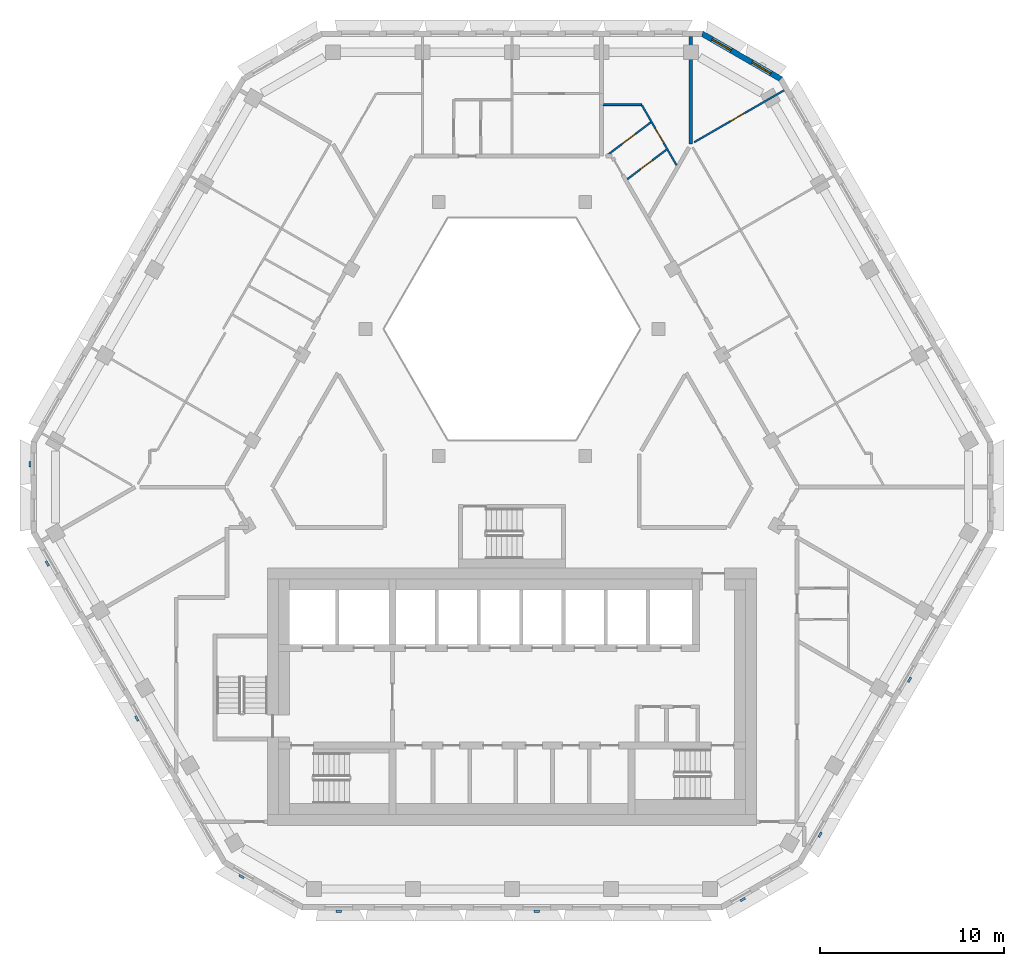
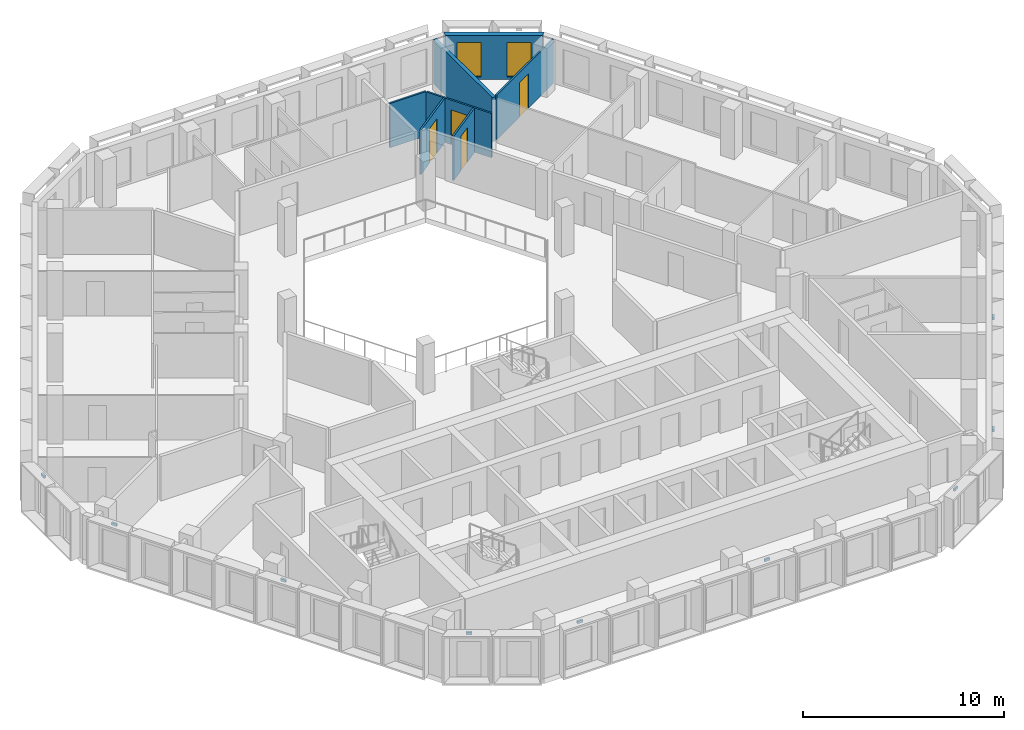
# One storey, part 9 of 17: 9 discrete accessories, 7 walls, 4 doors, 2 windows, 6 openings.
"""IFC4 building model written with IfcOpenShell, lengths in metres."""

from ifc_helpers import new_model, si_unit, direction, frame, frame_2d, origin, place, context, subcontext, project, spatial, polyline, rectangle, outline, extrude, source, transform, mapped, material, layer, layer_set, type_object, type_shapes, element, fill, save


model = new_model("IFC4")

# Units and contexts
model_context = context("Model", 3, precision=1e-05, world=origin(), true_north=direction((0.0, 1.0)))
body_context = subcontext(model_context, "Body", "Model", "MODEL_VIEW")
ifc_project = project(units=[si_unit("LENGTHUNIT", "METRE"), si_unit("AREAUNIT", "SQUARE_METRE"), si_unit("VOLUMEUNIT", "CUBIC_METRE"), si_unit("PLANEANGLEUNIT", "RADIAN"), si_unit("MASSUNIT", "GRAM", prefix="KILO")], contexts=[model_context])

# Site, building, storey
site_placement = place(None, origin())
site = spatial("IfcSite", under=ifc_project, at=site_placement, CompositionType="ELEMENT")
building_placement = place(site_placement, origin())
building = spatial("IfcBuilding", under=site, at=building_placement, Name="Beryl Residences", CompositionType="ELEMENT")
storey_placement = place(building_placement, frame((0.0, 0.0, 172.199951171875)))
storey = spatial("IfcBuildingStorey", under=building, at=storey_placement, Name="L52", CompositionType="ELEMENT", Elevation=172.199951171875)

# Wall, openings, windows
ifc_material_1 = material(Name="Composite metal panel with mineral wool insulation")
ifc_layer_1 = layer(ifc_material_1, 0.300048828125)
ifc_layer_set_1 = layer_set([ifc_layer_1], Name="ES1 pale metal composite panel wall 300 mm")
wall_type_1 = type_object("IfcWallType", Name="ES1 pale metal composite panel wall 300 mm", PredefinedType="SOLIDWALL", material=ifc_layer_set_1)
wall_1_placement = place(storey_placement, frame((14.64697265625, 21.570068359375, 0.0), z_axis=(0.0, 0.0, 1.0), x_axis=(-0.866022959057, 0.500004234368, 0.0)))
wall_1 = element("IfcWall", 1, at=wall_1_placement, inside=storey, type_object=wall_type_1, Name="ES1 external wall L52 NE-N", PredefinedType="SOLIDWALL", context=body_context, shape_type="SweptSolid", body=[
    extrude(outline(polyline([(0.0, -0.14990234375), (5.0, -0.14990234375), (4.919677734375, 0.14990234375), (0.080322265625, 0.14990234375), (0.0, -0.14990234375)])), origin(), (0.0, 0.0, 1.0), 2.699951171875),
])
opening_1_placement = place(wall_1_placement, frame((0.64990234375, 0.0, 0.14990234375)))
opening_1 = element("IfcOpeningElement", 2, at=opening_1_placement, cuts=wall_1, Name="Opening W2", PredefinedType="OPENING", context=body_context, shape_type="SweptSolid", body=[
    extrude(rectangle(XDim=1.199951171875, YDim=2.10009765625, at=frame_2d((0.60009765625, 1.050048828125))), frame((0.0, 0.159912109375, 0.0), z_axis=(0.0, -1.0, 0.0), x_axis=(1.0, 0.0, 0.0)), (0.0, 0.0, 1.0), 0.320068359375),
])
opening_2_placement = place(wall_1_placement, frame((3.14990234375, 0.0, 0.14990234375)))
opening_2 = element("IfcOpeningElement", 3, at=opening_2_placement, cuts=wall_1, Name="Opening W2", PredefinedType="OPENING", context=body_context, shape_type="SweptSolid", body=[
    extrude(rectangle(XDim=1.199951171875, YDim=2.10009765625, at=frame_2d((0.60009765625, 1.050048828125))), frame((0.0, 0.159912109375, 0.0), z_axis=(0.0, -1.0, 0.0), x_axis=(1.0, 0.0, 0.0)), (0.0, 0.0, 1.0), 0.320068359375),
])
ifc_material_2 = material(Name="Aluminium and clear glass", Category="aluminium")
window_type = type_object("IfcWindowType", Name="W2 chamfer window 1200 x 2100 mm", PartitioningType="SINGLE_PANEL", PredefinedType="WINDOW", material=ifc_material_2)
window_1_placement = place(opening_1_placement, origin())
window_1 = element("IfcWindow", 4, at=window_1_placement, inside=storey, type_object=window_type, Name="W2 window L52 NE-N 1", OverallHeight=2.10009765625, OverallWidth=1.199951171875, PartitioningType="SINGLE_PANEL", PredefinedType="WINDOW", context=body_context, shape_type="SweptSolid", body=[
    extrude(rectangle(XDim=1.199951171875, YDim=2.10009765625, at=frame_2d((0.60009765625, 1.050048828125))), frame((0.0, 0.030029296875, 0.0), z_axis=(0.0, -1.0, 0.0), x_axis=(1.0, 0.0, 0.0)), (0.0, 0.0, 1.0), 0.06005859375),
])
fill(opening_1, window_1)
window_2_placement = place(opening_2_placement, origin())
window_2 = element("IfcWindow", 5, at=window_2_placement, inside=storey, type_object=window_type, Name="W2 window L52 NE-N 2", OverallHeight=2.10009765625, OverallWidth=1.199951171875, PartitioningType="SINGLE_PANEL", PredefinedType="WINDOW", context=body_context, shape_type="SweptSolid", body=[
    extrude(rectangle(XDim=1.199951171875, YDim=2.10009765625, at=frame_2d((0.60009765625, 1.050048828125))), frame((0.0, 0.030029296875, 0.0), z_axis=(0.0, -1.0, 0.0), x_axis=(1.0, 0.0, 0.0)), (0.0, 0.0, 1.0), 0.06005859375),
])
fill(opening_2, window_2)

# Wall, opening, door
ifc_material_3 = material(Name="Gypsum board partition on steel studs", Category="steel")
ifc_layer_2 = layer(ifc_material_3, 0.10009765625)
ifc_layer_set_2 = layer_set([ifc_layer_2], Name="PT1 partition 100 mm gypsum board on steel studs")
wall_type_2 = type_object("IfcWallType", Name="PT1 partition 100 mm gypsum board on steel studs", PredefinedType="PARTITIONING", material=ifc_layer_set_2)
wall_2_placement = place(storey_placement, frame((7.072998046875, 20.14990234375, 0.0), z_axis=(0.0, 0.0, 1.0), x_axis=(0.499917691695, -0.866072919292, 0.0)))
wall_2 = element("IfcWall", 6, at=wall_2_placement, inside=storey, type_object=wall_type_2, Name="Wall PT1 L52 001", PredefinedType="PARTITIONING", context=body_context, shape_type="SweptSolid", body=[
    extrude(rectangle(XDim=3.752685546875, YDim=0.10009765625, at=frame_2d((1.87646484375, 0.0))), origin(), (0.0, 0.0, 1.0), 2.699951171875),
])
opening_3_placement = place(wall_2_placement, frame((1.431884765625, 0.0, 0.0)))
opening_3 = element("IfcOpeningElement", 7, at=opening_3_placement, cuts=wall_2, Name="Opening D1437", PredefinedType="OPENING", context=body_context, shape_type="SweptSolid", body=[
    extrude(rectangle(XDim=0.89990234375, YDim=2.10009765625, at=frame_2d((0.449951171875, 1.050048828125))), frame((0.0, 0.06005859375, 0.0), z_axis=(0.0, -1.0, 0.0), x_axis=(1.0, 0.0, 0.0)), (0.0, 0.0, 1.0), 0.1201171875),
])
ifc_material_4 = material(Name="Timber door leaf", Category="wood")
door_type_1 = type_object("IfcDoorType", Name="D2 room door 900 x 2100 mm", OperationType="SINGLE_SWING_LEFT", PredefinedType="DOOR", material=ifc_material_4)
door_1_placement = place(opening_3_placement, origin())
door_1 = element("IfcDoor", 8, at=door_1_placement, inside=storey, type_object=door_type_1, Name="Door D1437 L52 001", OperationType="SINGLE_SWING_LEFT", OverallHeight=2.10009765625, OverallWidth=0.89990234375, PredefinedType="DOOR", context=body_context, shape_type="SweptSolid", body=[
    extrude(rectangle(XDim=0.89990234375, YDim=2.10009765625, at=frame_2d((0.449951171875, 1.050048828125))), frame((0.0, 0.02490234375, 0.0), z_axis=(0.0, -1.0, 0.0), x_axis=(1.0, 0.0, 0.0)), (0.0, 0.0, 1.0), 0.050048828125),
])
fill(opening_3, door_1)

# Wall
wall_3_placement = place(storey_placement, frame((4.964111328125, 20.199951171875, 0.0), z_axis=(0.0, 0.0, 1.0), x_axis=(1.0, 0.0, 0.0)))
element("IfcWall", 9, at=wall_3_placement, inside=storey, type_object=wall_type_2, Name="Wall PT1 L52 017", PredefinedType="PARTITIONING", context=body_context, shape_type="SweptSolid", body=[
    extrude(rectangle(XDim=2.079833984375, YDim=0.10009765625, at=frame_2d((1.0400390625, 0.0))), origin(), (0.0, 0.0, 1.0), 2.699951171875),
])

# Wall, opening, door
wall_4_placement = place(storey_placement, frame((9.902099609375, 18.15087890625, 0.0), z_axis=(0.0, 0.0, 1.0), x_axis=(0.866032278734, 0.499988092049, 0.0)))
wall_4 = element("IfcWall", 10, at=wall_4_placement, inside=storey, type_object=wall_type_2, Name="Wall PT1 L52 035", PredefinedType="PARTITIONING", context=body_context, shape_type="SweptSolid", body=[
    extrude(rectangle(XDim=5.648681640625, YDim=0.10009765625, at=frame_2d((2.82421875, 0.0))), origin(), (0.0, 0.0, 1.0), 2.699951171875),
])
opening_4_placement = place(wall_4_placement, frame((2.27392578125, 0.0, 0.0)))
opening_4 = element("IfcOpeningElement", 11, at=opening_4_placement, cuts=wall_4, Name="Opening D1432", PredefinedType="OPENING", context=body_context, shape_type="SweptSolid", body=[
    extrude(rectangle(XDim=0.89990234375, YDim=2.10009765625, at=frame_2d((0.449951171875, 1.050048828125))), frame((0.0, 0.06005859375, 0.0), z_axis=(0.0, -1.0, 0.0), x_axis=(1.0, 0.0, 0.0)), (0.0, 0.0, 1.0), 0.1201171875),
])
door_2_placement = place(opening_4_placement, origin())
door_2 = element("IfcDoor", 12, at=door_2_placement, inside=storey, type_object=door_type_1, Name="Door D1432 L52 001", OperationType="SINGLE_SWING_RIGHT", OverallHeight=2.10009765625, OverallWidth=0.89990234375, PredefinedType="DOOR", context=body_context, shape_type="SweptSolid", body=[
    extrude(rectangle(XDim=0.89990234375, YDim=2.10009765625, at=frame_2d((0.449951171875, 1.050048828125))), frame((0.0, 0.02490234375, 0.0), z_axis=(0.0, -1.0, 0.0), x_axis=(1.0, 0.0, 0.0)), (0.0, 0.0, 1.0), 0.050048828125),
])
fill(opening_4, door_2)

wall_5_placement = place(storey_placement, frame((6.26904296875, 16.14208984375, 0.0), z_axis=(0.0, 0.0, 1.0), x_axis=(0.798549086509, 0.601929693931, 0.0)))
wall_5 = element("IfcWall", 13, at=wall_5_placement, inside=storey, type_object=wall_type_2, Name="Wall PT1 L52 036", PredefinedType="PARTITIONING", context=body_context, shape_type="SweptSolid", body=[
    extrude(rectangle(XDim=2.669677734375, YDim=0.10009765625, at=frame_2d((1.3349609375, 0.0))), origin(), (0.0, 0.0, 1.0), 2.699951171875),
])
opening_5_placement = place(wall_5_placement, frame((0.909912109375, 0.0, 0.0)))
opening_5 = element("IfcOpeningElement", 14, at=opening_5_placement, cuts=wall_5, Name="Opening D1436", PredefinedType="OPENING", context=body_context, shape_type="SweptSolid", body=[
    extrude(rectangle(XDim=0.800048828125, YDim=2.10009765625, at=frame_2d((0.39990234375, 1.050048828125))), frame((0.0, 0.06005859375, 0.0), z_axis=(0.0, -1.0, 0.0), x_axis=(1.0, 0.0, 0.0)), (0.0, 0.0, 1.0), 0.1201171875),
])
ifc_material_5 = material(Name="Timber door leaf", Category="wood")
door_type_2 = type_object("IfcDoorType", Name="D3 bathroom door 800 x 2100 mm", OperationType="SINGLE_SWING_LEFT", PredefinedType="DOOR", material=ifc_material_5)
door_3_placement = place(opening_5_placement, origin())
door_3 = element("IfcDoor", 15, at=door_3_placement, inside=storey, type_object=door_type_2, Name="Door D1436 L52 001", OperationType="SINGLE_SWING_RIGHT", OverallHeight=2.10009765625, OverallWidth=0.800048828125, PredefinedType="DOOR", context=body_context, shape_type="SweptSolid", body=[
    extrude(rectangle(XDim=0.800048828125, YDim=2.10009765625, at=frame_2d((0.39990234375, 1.050048828125))), frame((0.0, 0.02490234375, 0.0), z_axis=(0.0, -1.0, 0.0), x_axis=(1.0, 0.0, 0.0)), (0.0, 0.0, 1.0), 0.050048828125),
])
fill(opening_5, door_3)

wall_6_placement = place(storey_placement, frame((5.113037109375, 17.39990234375, 0.0), z_axis=(0.0, 0.0, 1.0), x_axis=(0.798718434647, 0.601704962714, 0.0)))
wall_6 = element("IfcWall", 16, at=wall_6_placement, inside=storey, type_object=wall_type_2, Name="Wall PT1 L52 037", PredefinedType="PARTITIONING", context=body_context, shape_type="SweptSolid", body=[
    extrude(rectangle(XDim=3.044677734375, YDim=0.10009765625, at=frame_2d((1.5224609375, 0.0))), origin(), (0.0, 0.0, 1.0), 2.699951171875),
])
opening_6_placement = place(wall_6_placement, frame((1.097900390625, 0.0, 0.0)))
opening_6 = element("IfcOpeningElement", 17, at=opening_6_placement, cuts=wall_6, Name="Opening D1435", PredefinedType="OPENING", context=body_context, shape_type="SweptSolid", body=[
    extrude(rectangle(XDim=0.89990234375, YDim=2.10009765625, at=frame_2d((0.449951171875, 1.050048828125))), frame((0.0, 0.06005859375, 0.0), z_axis=(0.0, -1.0, 0.0), x_axis=(1.0, 0.0, 0.0)), (0.0, 0.0, 1.0), 0.1201171875),
])
door_4_placement = place(opening_6_placement, origin())
door_4 = element("IfcDoor", 18, at=door_4_placement, inside=storey, type_object=door_type_1, Name="Door D1435 L52 001", OperationType="SINGLE_SWING_LEFT", OverallHeight=2.10009765625, OverallWidth=0.89990234375, PredefinedType="DOOR", context=body_context, shape_type="SweptSolid", body=[
    extrude(rectangle(XDim=0.89990234375, YDim=2.10009765625, at=frame_2d((0.449951171875, 1.050048828125))), frame((0.0, 0.02490234375, 0.0), z_axis=(0.0, -1.0, 0.0), x_axis=(1.0, 0.0, 0.0)), (0.0, 0.0, 1.0), 0.050048828125),
])
fill(opening_6, door_4)

# Wall
ifc_material_6 = material(Name="Acoustic double stud gypsum board wall")
ifc_layer_3 = layer(ifc_material_6, 0.199951171875)
ifc_layer_set_3 = layer_set([ifc_layer_3], Name="PT3 party wall 200 mm acoustic double stud")
wall_type_3 = type_object("IfcWallType", Name="PT3 party wall 200 mm acoustic double stud", PredefinedType="PARTITIONING", material=ifc_layer_set_3)
wall_7_placement = place(storey_placement, frame((9.72802734375, 18.049072265625, 0.0), z_axis=(0.0, 0.0, 1.0), x_axis=(0.0, 1.0, 0.0)))
element("IfcWall", 19, at=wall_7_placement, inside=storey, type_object=wall_type_3, Name="Wall PT3 L52 012", PredefinedType="PARTITIONING", context=body_context, shape_type="SweptSolid", body=[
    extrude(rectangle(XDim=5.850830078125, YDim=0.199951171875, at=frame_2d((2.92529296875, 0.0))), origin(), (0.0, 0.0, 1.0), 2.699951171875),
])

# Discrete accessories
ifc_material_7 = material(Name="Steel S355", Category="steel")
discrete_accessory_type = type_object("IfcDiscreteAccessoryType", Name="BR1 frame bracket 300 x 120 x 150 mm", PredefinedType="BRACKET", material=ifc_material_7)
shared_shape = source(origin(), body_context, "Body", "SweptSolid", [
    extrude(outline(polyline([(-0.14990234375, 0.0), (0.14990234375, 0.0), (0.14990234375, 0.1201171875), (-0.14990234375, 0.1201171875), (-0.14990234375, 0.0)])), origin(), (0.0, 0.0, 1.0), 0.14990234375),
])
type_shapes(discrete_accessory_type, [shared_shape])
for number, where, z_axis, x_axis, name in (
    (20, (-26.154052734375, 0.64990234375, 2.75), (0.0, 0.0, 1.0), (0.0, 1.0, 0.0), "BR1 bracket L52 NW-SW 1"),
    (21, (-25.212890625, -4.72802734375, 2.75), (0.0, 0.0, 1.0), (-0.5, 0.866025403784, 0.0), "BR1 bracket L52 SW 1"),
    (22, (-20.35009765625, -13.152099609375, 2.75), (0.0, 0.0, 1.0), (-0.5, 0.866025403784, 0.0), "BR1 bracket L52 SW 5"),
    (23, (-14.677978515625, -21.72509765625, 2.75), (0.0, 0.0, 1.0), (-0.866025403784, 0.5, 0.0), "BR1 bracket L52 SW-S 1"),
    (24, (-9.4208984375, -23.60009765625, 2.75), (0.0, 0.0, 1.0), (-1.0, 0.0, 0.0), "BR1 bracket L52 S 1"),
    (25, (1.346923828125, -23.60009765625, 2.75), (0.0, 0.0, 1.0), (-1.0, 0.0, 0.0), "BR1 bracket L52 S 5"),
    (26, (12.513916015625, -22.97509765625, 2.75), (0.0, 0.0, 1.0), (-0.866025403784, -0.5, 0.0), "BR1 bracket L52 S-SE 1"),
    (27, (16.700927734375, -19.471923828125, 2.75), (0.0, 0.0, 1.0), (-0.5, -0.866025403784, 0.0), "BR1 bracket L52 SE 1"),
    (28, (21.56396484375, -11.048095703125, 2.75), (0.0, 0.0, 1.0), (-0.5, -0.866025403784, 0.0), "BR1 bracket L52 SE 5"),
):
    element("IfcDiscreteAccessory", number, at=place(storey_placement, frame(where, z_axis=z_axis, x_axis=x_axis)), inside=storey, type_object=discrete_accessory_type, Name=name, PredefinedType="BRACKET", context=body_context, shape_type="MappedRepresentation", body=[
        mapped(shared_shape, transform((0.0, 0.0, 0.0))),
    ])

save(model, "model.ifc")
